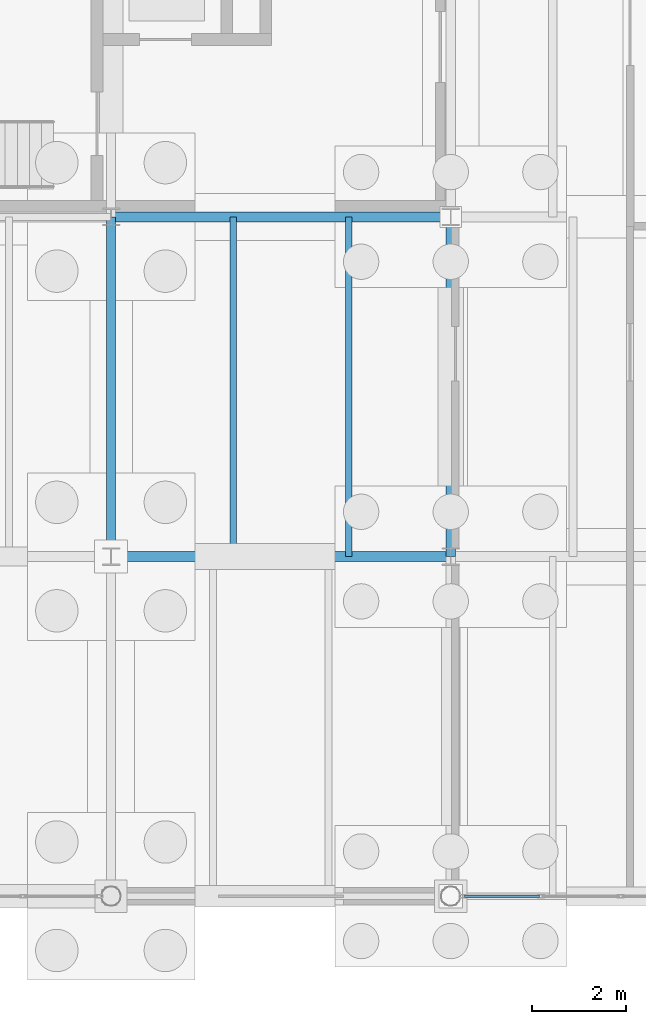
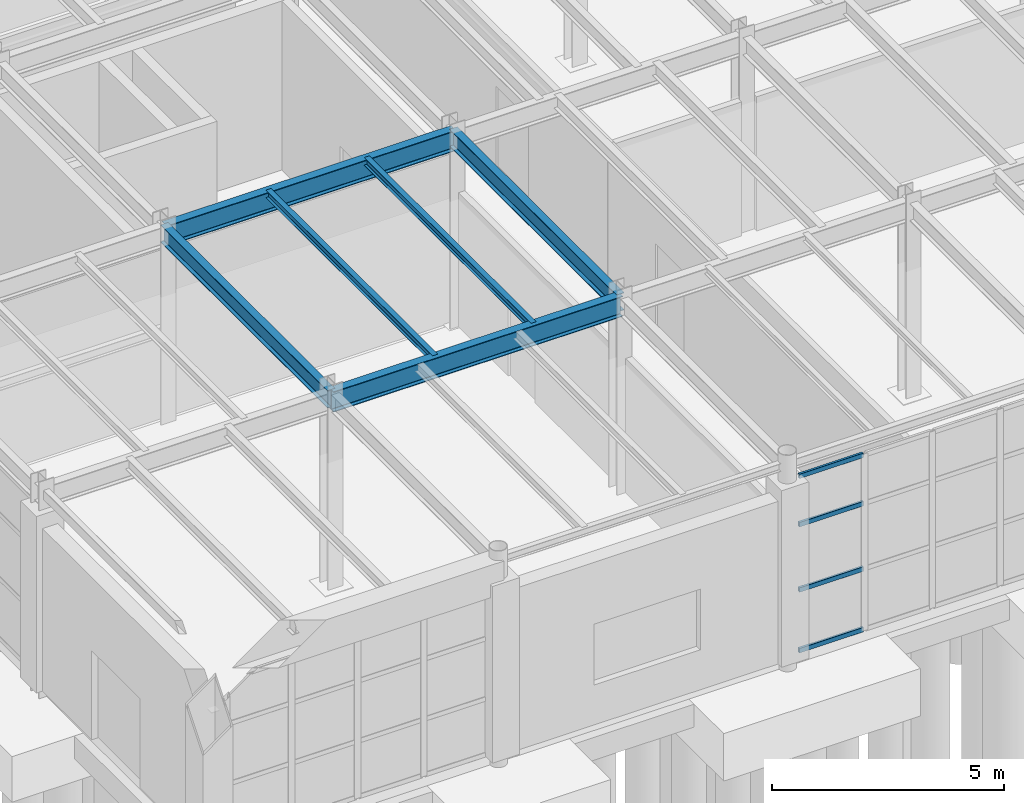
# One storey, part 42 of 293: 6 beams, 4 members, 1 element without a shape of its own.
"""IFC4 building model written with IfcOpenShell, lengths in metres."""

from ifc_helpers import new_model, si_unit, direction, frame, origin, origin_2d, place, context, subcontext, project, spatial, hollow_rectangle, i_section, extrude, material, layer, layer_set, material_profile, profile_set, type_object, element, aggregate, save


model = new_model("IFC4")

# Units and contexts
model_context = context("Model", 3, precision=1e-05, world=origin(), true_north=direction((0.0, 1.0)))
body_context = subcontext(model_context, "Body", "Model", "MODEL_VIEW")
ifc_project = project(units=[si_unit("LENGTHUNIT", "METRE"), si_unit("AREAUNIT", "SQUARE_METRE"), si_unit("VOLUMEUNIT", "CUBIC_METRE"), si_unit("PLANEANGLEUNIT", "RADIAN"), si_unit("MASSUNIT", "GRAM", prefix="KILO")], contexts=[model_context])

# Site, building, storey
site_placement = place(None, origin())
site = spatial("IfcSite", under=ifc_project, at=site_placement, CompositionType="ELEMENT")
building_placement = place(site_placement, origin())
building = spatial("IfcBuilding", under=site, at=building_placement, Name="Kemerveld Promenade Tramway Depot", CompositionType="ELEMENT")
storey_placement = place(building_placement, origin())
storey = spatial("IfcBuildingStorey", under=building, at=storey_placement, Name="L00", CompositionType="ELEMENT", Elevation=0.0)

# Beams
ifc_material_1 = material(Name="Steel S355", Category="steel")
ifc_material_profile_1 = material_profile(ifc_material_1, i_section(OverallWidth=0.2099609375, OverallDepth=0.53662109375, WebThickness=0.0107421875, FlangeThickness=0.017333984375, FilletRadius=0.0126953125, at=origin_2d()), Name="533x210x101 UB")
ifc_profile_set_1 = profile_set([ifc_material_profile_1], Name="Steel S355")
beam_type_1 = type_object("IfcBeamType", Name="BM-G05", PredefinedType="BEAM", material=ifc_profile_set_1)
for number, where, z_axis, x_axis, name in (
    (1, (7.199951171875, 7.199951171875, 4.881591796875), (1.0, 0.0, 0.0), (0.0, 1.0, 0.0), "BMX-L00-02-03-B"),
    (2, (7.199951171875, 14.39990234375, 4.881591796875), (1.0, 0.0, 0.0), (0.0, 1.0, 0.0), "BMX-L00-02-03-C"),
):
    element("IfcBeam", number, at=place(storey_placement, frame(where, z_axis=z_axis, x_axis=x_axis)), inside=storey, type_object=beam_type_1, Name=name, PredefinedType="BEAM", context=body_context, shape_type="SweptSolid", body=[
        extrude(i_section(OverallWidth=0.2099609375, OverallDepth=0.53662109375, WebThickness=0.0107421875, FlangeThickness=0.017333984375, FilletRadius=0.0126953125, at=origin_2d()), origin(), (0.0, 0.0, 1.0), 7.199951171875),
    ])
ifc_material_profile_2 = material_profile(ifc_material_1, i_section(OverallWidth=0.19140625, OverallDepth=0.4599609375, WebThickness=0.010009765625, FlangeThickness=0.01611328125, FilletRadius=0.01025390625, at=origin_2d()), Name="457x191x82 UB")
ifc_profile_set_2 = profile_set([ifc_material_profile_2], Name="Steel S355")
beam_type_2 = type_object("IfcBeamType", Name="BM-G06", PredefinedType="BEAM", material=ifc_profile_set_2)
for number, where, z_axis, x_axis, name in (
    (3, (7.199951171875, 7.199951171875, 4.919921875), (0.0, 1.0, 0.0), (-1.0, 0.0, 0.0), "BMY-L00-02-B-C"),
    (4, (14.39990234375, 7.199951171875, 4.919921875), (0.0, 1.0, 0.0), (-1.0, 0.0, 0.0), "BMY-L00-03-B-C"),
):
    element("IfcBeam", number, at=place(storey_placement, frame(where, z_axis=z_axis, x_axis=x_axis)), inside=storey, type_object=beam_type_2, Name=name, PredefinedType="BEAM", context=body_context, shape_type="SweptSolid", body=[
        extrude(i_section(OverallWidth=0.19140625, OverallDepth=0.4599609375, WebThickness=0.010009765625, FlangeThickness=0.01611328125, FilletRadius=0.01025390625, at=origin_2d()), origin(), (0.0, 0.0, 1.0), 7.199951171875),
    ])
ifc_material_profile_3 = material_profile(ifc_material_1, i_section(OverallWidth=0.13330078125, OverallDepth=0.203125, WebThickness=0.005615234375, FlangeThickness=0.0078125, FilletRadius=0.007568359375, at=origin_2d()), Name="203x133x25 UB")
ifc_profile_set_3 = profile_set([ifc_material_profile_3], Name="Steel S355")
beam_type_3 = type_object("IfcBeamType", Name="BM-J03", PredefinedType="JOIST", material=ifc_profile_set_3)
for number, where, z_axis, x_axis, name in (
    (5, (9.7919921875, 7.199951171875, 5.04833984375), (0.0, 1.0, 0.0), (-1.0, 0.0, 0.0), "JST-L00-02-B-1"),
    (6, (12.239990234375, 7.199951171875, 5.04833984375), (0.0, 1.0, 0.0), (-1.0, 0.0, 0.0), "JST-L00-02-B-2"),
):
    element("IfcBeam", number, at=place(storey_placement, frame(where, z_axis=z_axis, x_axis=x_axis)), inside=storey, type_object=beam_type_3, Name=name, PredefinedType="JOIST", context=body_context, shape_type="SweptSolid", body=[
        extrude(i_section(OverallWidth=0.13330078125, OverallDepth=0.203125, WebThickness=0.005615234375, FlangeThickness=0.0078125, FilletRadius=0.007568359375, at=origin_2d()), origin(), (0.0, 0.0, 1.0), 7.199951171875),
    ])

# Curtain wall, members
ifc_material_2 = material(Name="Bronze anodised aluminium and solar glass", Category="aluminium")
ifc_layer = layer(ifc_material_2, 0.159912109375)
ifc_layer_set = layer_set([ifc_layer], Name="CW-SYS-09")
curtain_wall_type = type_object("IfcCurtainWallType", Name="CW-SYS-09", PredefinedType="USERDEFINED", material=ifc_layer_set)
curtain_wall_placement = place(storey_placement, origin())
curtain_wall = element("IfcCurtainWall", 7, at=curtain_wall_placement, inside=storey, type_object=curtain_wall_type, Name="CW-L00-V5S-06", ObjectType="GLAZED_CURTAIN_WALL", PredefinedType="USERDEFINED")
ifc_material_3 = material(Name="Bronze anodised aluminium", Category="aluminium")
ifc_material_profile_4 = material_profile(ifc_material_3, hollow_rectangle(XDim=0.06005859375, YDim=0.1201171875, WallThickness=0.00390625, InnerFilletRadius=0.001953125, OuterFilletRadius=0.00390625, at=origin_2d()), Name="CW-TRN-120x60")
ifc_profile_set_4 = profile_set([ifc_material_profile_4], Name="Bronze anodised aluminium")
member_type = type_object("IfcMemberType", Name="CW-TRN-A", PredefinedType="USERDEFINED", material=ifc_profile_set_4)
member_1_placement = place(storey_placement, frame((16.279052734375, 0.0, 0.030029296875), z_axis=(-1.0, 0.0, 0.0), x_axis=(0.0, -1.0, 0.0)))
member_1 = element("IfcMember", 8, at=member_1_placement, type_object=member_type, Name="CW09 transom 4.1", ObjectType="TRANSOM", PredefinedType="USERDEFINED", context=body_context, shape_type="SweptSolid", body=[
    extrude(hollow_rectangle(XDim=0.06005859375, YDim=0.1201171875, WallThickness=0.00390625, InnerFilletRadius=0.001953125, OuterFilletRadius=0.00390625, at=origin_2d()), origin(), (0.0, 0.0, 1.0), 1.5908203125),
])
member_2_placement = place(storey_placement, frame((16.279052734375, 0.0, 1.626953125), z_axis=(-1.0, 0.0, 0.0), x_axis=(0.0, -1.0, 0.0)))
member_2 = element("IfcMember", 9, at=member_2_placement, type_object=member_type, Name="CW09 transom 4.2", ObjectType="TRANSOM", PredefinedType="USERDEFINED", context=body_context, shape_type="SweptSolid", body=[
    extrude(hollow_rectangle(XDim=0.06005859375, YDim=0.1201171875, WallThickness=0.00390625, InnerFilletRadius=0.001953125, OuterFilletRadius=0.00390625, at=origin_2d()), origin(), (0.0, 0.0, 1.0), 1.5908203125),
])
member_3_placement = place(storey_placement, frame((16.279052734375, 0.0, 3.347900390625), z_axis=(-1.0, 0.0, 0.0), x_axis=(0.0, -1.0, 0.0)))
member_3 = element("IfcMember", 10, at=member_3_placement, type_object=member_type, Name="CW09 transom 4.3", ObjectType="TRANSOM", PredefinedType="USERDEFINED", context=body_context, shape_type="SweptSolid", body=[
    extrude(hollow_rectangle(XDim=0.06005859375, YDim=0.1201171875, WallThickness=0.00390625, InnerFilletRadius=0.001953125, OuterFilletRadius=0.00390625, at=origin_2d()), origin(), (0.0, 0.0, 1.0), 1.5908203125),
])
member_4_placement = place(storey_placement, frame((16.279052734375, 0.0, 4.6201171875), z_axis=(-1.0, 0.0, 0.0), x_axis=(0.0, -1.0, 0.0)))
member_4 = element("IfcMember", 11, at=member_4_placement, type_object=member_type, Name="CW09 transom 4.4", ObjectType="TRANSOM", PredefinedType="USERDEFINED", context=body_context, shape_type="SweptSolid", body=[
    extrude(hollow_rectangle(XDim=0.06005859375, YDim=0.1201171875, WallThickness=0.00390625, InnerFilletRadius=0.001953125, OuterFilletRadius=0.00390625, at=origin_2d()), origin(), (0.0, 0.0, 1.0), 1.5908203125),
])
aggregate(curtain_wall, [member_1, member_2, member_3, member_4])

save(model, "model.ifc")
